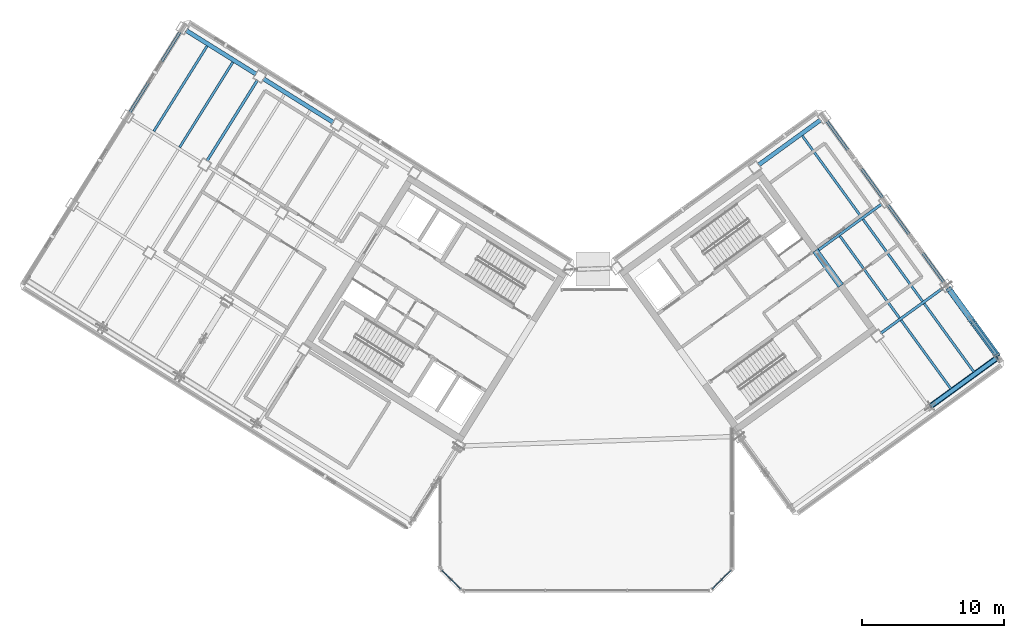
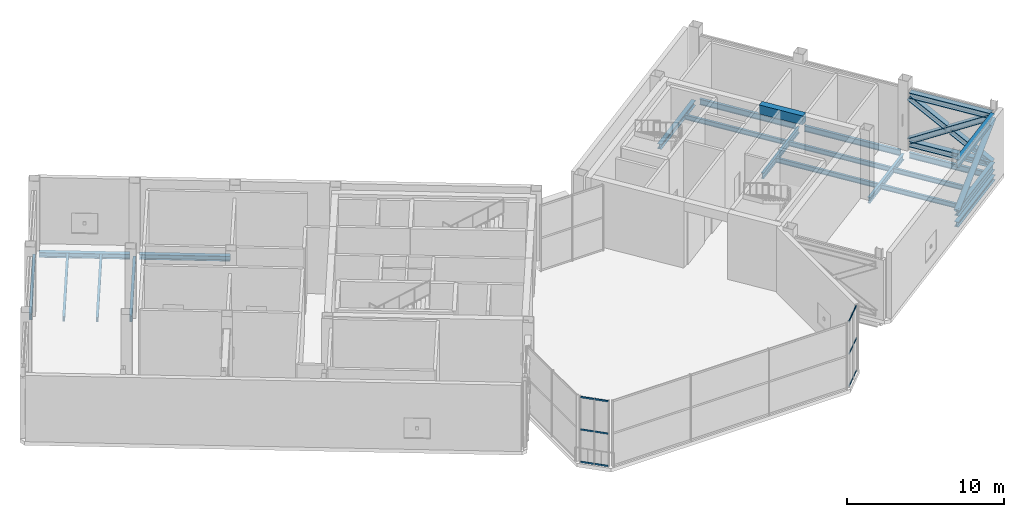
# One storey, part 13 of 32: 20 members, 19 beams, 2 elements without a shape of their own.
"""IFC4 building model written with IfcOpenShell, lengths in metres."""

from ifc_helpers import new_model, si_unit, direction, frame, origin, origin_2d, place, context, subcontext, project, spatial, rectangle, hollow_rectangle, hollow_circle, i_section, extrude, source, transform, mapped, material, material_profile, profile_set, type_object, element, aggregate, save


model = new_model("IFC4")

# Units and contexts
model_context = context("Model", 3, precision=1e-05, world=origin(), true_north=direction((0.0, 1.0)))
body_context = subcontext(model_context, "Body", "Model", "MODEL_VIEW")
ifc_project = project(units=[si_unit("LENGTHUNIT", "METRE"), si_unit("AREAUNIT", "SQUARE_METRE"), si_unit("VOLUMEUNIT", "CUBIC_METRE"), si_unit("PLANEANGLEUNIT", "RADIAN"), si_unit("MASSUNIT", "GRAM", prefix="KILO")], contexts=[model_context])

# Site, building, storey
site_placement = place(None, origin())
site = spatial("IfcSite", under=ifc_project, at=site_placement, CompositionType="ELEMENT")
building_placement = place(site_placement, origin())
building = spatial("IfcBuilding", under=site, at=building_placement, Name="Tlacorven Tower", CompositionType="ELEMENT")
storey_placement = place(building_placement, frame((0.0, 0.0, 245.699951171875)))
storey = spatial("IfcBuildingStorey", under=building, at=storey_placement, Name="L62", CompositionType="ELEMENT", Elevation=245.699951171875)

# Beam
ifc_material_1 = material(Name="Concrete C60/75", Category="concrete")
ifc_material_profile_1 = material_profile(ifc_material_1, rectangle(XDim=0.449951171875, YDim=0.699951171875, at=origin_2d()), Name="RC 450X700")
ifc_profile_set_1 = profile_set([ifc_material_profile_1], Name="Concrete C60/75")
beam_type_1 = type_object("IfcBeamType", Name="BM-LNT-700", PredefinedType="LINTEL", material=ifc_profile_set_1)
shared_shape_1 = source(origin(), body_context, "Body", "SweptSolid", [
    extrude(rectangle(XDim=0.449951171875, YDim=0.699951171875, at=origin_2d()), origin(), (0.0, 0.0, 1.0), 3.050048828125),
])
beam_1_placement = place(storey_placement, frame((59.856689453125, 23.345947265625, 4.800048828125), z_axis=(-0.587776590479, 0.80902328748, 0.0), x_axis=(-0.80902328748, -0.587776590479, 0.0)))
element("IfcBeam", 1, at=beam_1_placement, inside=storey, type_object=beam_type_1, Name="L62 E core coupling lintel beam E2", PredefinedType="LINTEL", context=body_context, shape_type="MappedRepresentation", body=[
    mapped(shared_shape_1, transform((0.0, 0.0, 0.0), scale=1.0)),
])

# Members
ifc_material_2 = material(Name="Steel S460M", Category="steel")
ifc_material_profile_2 = material_profile(ifc_material_2, i_section(OverallWidth=0.406005859375, OverallDepth=0.416015625, WebThickness=0.02099609375, FlangeThickness=0.032958984375, at=origin_2d()), Name="HD 400X382")
ifc_profile_set_2 = profile_set([ifc_material_profile_2], Name="Steel S460M")
member_type_1 = type_object("IfcMemberType", Name="MB-OUT-DIA", PredefinedType="BRACE", material=ifc_profile_set_2)
shared_shape_2 = source(origin(), body_context, "Body", "SweptSolid", [
    extrude(i_section(OverallWidth=0.406005859375, OverallDepth=0.416015625, WebThickness=0.02099609375, FlangeThickness=0.032958984375, at=origin_2d()), origin(), (0.0, 0.0, 1.0), 3.24560546875),
])
member_1_placement = place(storey_placement, frame((69.2001953125, 20.693603515625, 2.2255859375), z_axis=(0.501862263089, -0.690737584225, -0.520591834958), x_axis=(0.809010292828, 0.58779447607, 0.0)))
element("IfcMember", 2, at=member_1_placement, inside=storey, type_object=member_type_1, Name="L62 Outrigger Truss Split Diagonal E2-2B", PredefinedType="BRACE", context=body_context, shape_type="MappedRepresentation", body=[
    mapped(shared_shape_2, transform((0.0, 0.0, 0.0), scale=1.0)),
])
ifc_material_profile_3 = material_profile(ifc_material_2, i_section(OverallWidth=0.300048828125, OverallDepth=0.60009765625, WebThickness=0.015380859375, FlangeThickness=0.030029296875, at=origin_2d()), Name="HEB 600")
ifc_profile_set_3 = profile_set([ifc_material_profile_3], Name="Steel S460M")
member_type_2 = type_object("IfcMemberType", Name="MB-BLT-CHD", PredefinedType="CHORD", material=ifc_profile_set_3)
shared_shape_3 = source(origin(), body_context, "Body", "SweptSolid", [
    extrude(i_section(OverallWidth=0.300048828125, OverallDepth=0.60009765625, WebThickness=0.015380859375, FlangeThickness=0.030029296875, at=origin_2d()), origin(), (0.0, 0.0, 1.0), 5.669921875),
])
for number, where, z_axis, x_axis, name in (
    (3, (66.19140625, 14.907958984375, 0.449951171875), (0.809017149141, 0.587785039275, 0.0), (-0.587785039275, 0.809017149141, 0.0), "L62 Belt Truss Chord E1-B"),
    (4, (66.19140625, 14.907958984375, 4.22998046875), (0.809017149141, 0.587785039275, 0.0), (-0.587785039275, 0.809017149141, 0.0), "L62 Belt Truss Chord E1-T"),
):
    element("IfcMember", number, at=place(storey_placement, frame(where, z_axis=z_axis, x_axis=x_axis)), inside=storey, type_object=member_type_2, Name=name, PredefinedType="CHORD", context=body_context, shape_type="MappedRepresentation", body=[
        mapped(shared_shape_3, transform((0.0, 0.0, 0.0), scale=1.0)),
    ])
ifc_material_profile_4 = material_profile(ifc_material_2, hollow_circle(Radius=0.203125, WallThickness=0.02001953125, at=origin_2d()), Name="CHS 406.4X20")
ifc_profile_set_4 = profile_set([ifc_material_profile_4], Name="Steel S460M")
member_type_3 = type_object("IfcMemberType", Name="MB-BLT-DIA", PredefinedType="BRACE", material=ifc_profile_set_4)
shared_shape_4 = source(origin(), body_context, "Body", "SweptSolid", [
    extrude(hollow_circle(Radius=0.203125, WallThickness=0.02001953125, at=origin_2d()), origin(), (0.0, 0.0, 1.0), 6.721435546875),
])
member_2_placement = place(storey_placement, frame((66.1845703125, 14.90283203125, 0.548583984375), z_axis=(0.684499051971, 0.497328788516, 0.533033886319), x_axis=(-0.587793851887, 0.809010746334, 0.0)))
element("IfcMember", 5, at=member_2_placement, inside=storey, type_object=member_type_3, Name="L62 Belt Truss Diagonal E1-1", PredefinedType="BRACE", context=body_context, shape_type="MappedRepresentation", body=[
    mapped(shared_shape_4, transform((0.0, 0.0, 0.0), scale=1.0)),
])

# Beams
ifc_material_3 = material(Name="Steel S355J2", Category="steel")
ifc_material_profile_5 = material_profile(ifc_material_3, i_section(OverallWidth=0.300048828125, OverallDepth=0.389892578125, WebThickness=0.010986328125, FlangeThickness=0.01904296875, at=origin_2d()), Name="HEA 400")
ifc_profile_set_5 = profile_set([ifc_material_profile_5], Name="Steel S355J2")
beam_type_2 = type_object("IfcBeamType", Name="BM-SPN-400", PredefinedType="SPANDREL", material=ifc_profile_set_5)
shared_shape_5 = source(origin(), body_context, "Body", "SweptSolid", [
    extrude(i_section(OverallWidth=0.300048828125, OverallDepth=0.389892578125, WebThickness=0.010986328125, FlangeThickness=0.01904296875, at=origin_2d()), origin(), (0.0, 0.0, 1.0), 5.800048828125),
])
for number, where, z_axis, x_axis, name in (
    (6, (24.24609375, 34.8017578125, -0.474853515625), (-0.848052689693, 0.529911912967, 0.0), (-0.529911912967, -0.848052689693, 0.0), "L62 beam BM-L62-WL1-4"),
    (7, (18.818603515625, 38.193359375, -0.474853515625), (-0.848052689693, 0.529911912967, 0.0), (-0.529911912967, -0.848052689693, 0.0), "L62 beam BM-L62-WL1-5"),
    (8, (66.138671875, 14.86962890625, -0.474853515625), (0.809019944521, 0.587781191743, 0.0), (-0.587781191743, 0.809019944521, 0.0), "L62 beam BM-L62-EL1-3"),
):
    element("IfcBeam", number, at=place(storey_placement, frame(where, z_axis=z_axis, x_axis=x_axis)), inside=storey, type_object=beam_type_2, Name=name, PredefinedType="SPANDREL", context=body_context, shape_type="MappedRepresentation", body=[
        mapped(shared_shape_5, transform((0.0, 0.0, 0.0), scale=1.0)),
    ])
ifc_material_profile_6 = material_profile(ifc_material_3, i_section(OverallWidth=0.18994140625, OverallDepth=0.449951171875, WebThickness=0.009521484375, FlangeThickness=0.0146484375, at=origin_2d()), Name="IPE 450")
ifc_profile_set_6 = profile_set([ifc_material_profile_6], Name="Steel S355J2")
beam_type_3 = type_object("IfcBeamType", Name="BM-TWR-450", PredefinedType="BEAM", material=ifc_profile_set_6)
shared_shape_6 = source(origin(), body_context, "Body", "SweptSolid", [
    extrude(i_section(OverallWidth=0.18994140625, OverallDepth=0.449951171875, WebThickness=0.009521484375, FlangeThickness=0.0146484375, at=origin_2d()), origin(), (0.0, 0.0, 1.0), 5.800048828125),
])
beam_2_placement = place(storey_placement, frame((70.853271484375, 18.41845703125, -0.5048828125), z_axis=(-0.587781191743, 0.809019944521, 0.0), x_axis=(-0.809019944521, -0.587781191743, 0.0)))
element("IfcBeam", 9, at=beam_2_placement, inside=storey, type_object=beam_type_3, Name="L62 beam BM-L62-ET4-1", PredefinedType="BEAM", context=body_context, shape_type="MappedRepresentation", body=[
    mapped(shared_shape_6, transform((0.0, 0.0, 0.0), scale=1.0)),
])
shared_shape_7 = source(origin(), body_context, "Body", "SweptSolid", [
    extrude(i_section(OverallWidth=0.18994140625, OverallDepth=0.449951171875, WebThickness=0.009521484375, FlangeThickness=0.0146484375, at=origin_2d()), origin(), (0.0, 0.0, 1.0), 6.699951171875),
])
for number, where, z_axis, x_axis, name in (
    (10, (13.486328125, 41.17138671875, -0.5048828125), (-0.529903948186, -0.848057666493, 0.0), (0.848057666493, -0.529903948186, 0.0), "L62 beam BM-L62-WT6-1"),
    (11, (67.09130859375, 23.59619140625, -0.5048828125), (-0.587768623827, 0.809029075401, 0.0), (-0.809029075401, -0.587768623827, 0.0), "L62 beam BM-L62-ET4-2"),
    (12, (62.800537109375, 29.501953125, -0.5048828125), (-0.587792473715, 0.809011747655, 0.0), (-0.809011747655, -0.587792473715, 0.0), "L62 beam BM-L62-ET4-3"),
):
    element("IfcBeam", number, at=place(storey_placement, frame(where, z_axis=z_axis, x_axis=x_axis)), inside=storey, type_object=beam_type_3, Name=name, PredefinedType="BEAM", context=body_context, shape_type="MappedRepresentation", body=[
        mapped(shared_shape_7, transform((0.0, 0.0, 0.0), scale=1.0)),
    ])
shared_shape_8 = source(origin(), body_context, "Body", "SweptSolid", [
    extrude(i_section(OverallWidth=0.18994140625, OverallDepth=0.449951171875, WebThickness=0.009521484375, FlangeThickness=0.0146484375, at=origin_2d()), origin(), (0.0, 0.0, 1.0), 6.7001953125),
])
beam_3_placement = place(storey_placement, frame((18.9140625, 37.780029296875, -0.5048828125), z_axis=(-0.52991377951, -0.848051523367, 0.0), x_axis=(0.848051523367, -0.52991377951, 0.0)))
element("IfcBeam", 13, at=beam_3_placement, inside=storey, type_object=beam_type_3, Name="L62 beam BM-L62-WT5-1", PredefinedType="BEAM", context=body_context, shape_type="MappedRepresentation", body=[
    mapped(shared_shape_8, transform((0.0, 0.0, 0.0), scale=1.0)),
])
ifc_material_profile_7 = material_profile(ifc_material_3, i_section(OverallWidth=0.169921875, OverallDepth=0.360107421875, WebThickness=0.008056640625, FlangeThickness=0.0126953125, at=origin_2d()), Name="IPE 360")
ifc_profile_set_7 = profile_set([ifc_material_profile_7], Name="Steel S355J2")
beam_type_4 = type_object("IfcBeamType", Name="BM-JST-360", PredefinedType="JOIST", material=ifc_profile_set_7)
shared_shape_9 = source(origin(), body_context, "Body", "SweptSolid", [
    extrude(i_section(OverallWidth=0.169921875, OverallDepth=0.360107421875, WebThickness=0.008056640625, FlangeThickness=0.0126953125, at=origin_2d()), origin(), (0.0, 0.0, 1.0), 7.044921875),
])
for number, where, z_axis, x_axis, name in (
    (14, (17.181640625, 39.033447265625, -0.4599609375), (-0.529899256491, -0.848060598053, 0.0), (0.848060598053, -0.529899256491, 0.0), "L62 beam BM-L62-WJ5-1-1"),
    (15, (15.372314453125, 40.163818359375, -0.4599609375), (-0.52991483005, -0.848050866925, 0.0), (0.848050866925, -0.52991483005, 0.0), "L62 beam BM-L62-WJ5-1-2"),
    (16, (61.300048828125, 28.164794921875, -0.4599609375), (-0.587782183052, 0.8090192243, 0.0), (-0.8090192243, -0.587782183052, 0.0), "L62 beam BM-L62-EJ3-3-2"),
):
    element("IfcBeam", number, at=place(storey_placement, frame(where, z_axis=z_axis, x_axis=x_axis)), inside=storey, type_object=beam_type_4, Name=name, PredefinedType="JOIST", context=body_context, shape_type="MappedRepresentation", body=[
        mapped(shared_shape_9, transform((0.0, 0.0, 0.0), scale=1.0)),
    ])
shared_shape_10 = source(origin(), body_context, "Body", "SweptSolid", [
    extrude(i_section(OverallWidth=0.169921875, OverallDepth=0.360107421875, WebThickness=0.008056640625, FlangeThickness=0.0126953125, at=origin_2d()), origin(), (0.0, 0.0, 1.0), 5.945068359375),
])
for number, where, z_axis, x_axis, name in (
    (17, (67.584716796875, 16.11181640625, -0.4599609375), (-0.587788268014, 0.809014803317, 0.0), (-0.809014803317, -0.587788268014, 0.0), "L62 beam BM-L62-EJ3-1-1"),
    (18, (69.202880859375, 17.287353515625, -0.4599609375), (-0.587768740048, 0.809028990965, 0.0), (-0.809028990965, -0.587768740048, 0.0), "L62 beam BM-L62-EJ3-1-2"),
):
    element("IfcBeam", number, at=place(storey_placement, frame(where, z_axis=z_axis, x_axis=x_axis)), inside=storey, type_object=beam_type_4, Name=name, PredefinedType="JOIST", context=body_context, shape_type="MappedRepresentation", body=[
        mapped(shared_shape_10, transform((0.0, 0.0, 0.0), scale=1.0)),
    ])
shared_shape_11 = source(origin(), body_context, "Body", "SweptSolid", [
    extrude(i_section(OverallWidth=0.169921875, OverallDepth=0.360107421875, WebThickness=0.008056640625, FlangeThickness=0.0126953125, at=origin_2d()), origin(), (0.0, 0.0, 1.0), 7.10009765625),
])
for number, where, z_axis, x_axis, name in (
    (19, (63.972900390625, 21.083251953125, -0.4599609375), (-0.587783168305, 0.809018508476, 0.0), (-0.809018508476, -0.587783168305, 0.0), "L62 beam BM-L62-EJ3-2-1"),
    (20, (65.5908203125, 22.2587890625, -0.4599609375), (-0.587760662035, 0.809034859672, 0.0), (-0.809034859672, -0.587760662035, 0.0), "L62 beam BM-L62-EJ3-2-2"),
):
    element("IfcBeam", number, at=place(storey_placement, frame(where, z_axis=z_axis, x_axis=x_axis)), inside=storey, type_object=beam_type_4, Name=name, PredefinedType="JOIST", context=body_context, shape_type="MappedRepresentation", body=[
        mapped(shared_shape_11, transform((0.0, 0.0, 0.0), scale=1.0)),
    ])
shared_shape_12 = source(origin(), body_context, "Body", "SweptSolid", [
    extrude(i_section(OverallWidth=0.18994140625, OverallDepth=0.449951171875, WebThickness=0.009521484375, FlangeThickness=0.0146484375, at=origin_2d()), origin(), (0.0, 0.0, 1.0), 5.39990234375),
])
beam_4_placement = place(storey_placement, frame((62.65625, 20.003173828125, -0.5048828125), z_axis=(0.80901166244, 0.587792591002, 0.0), x_axis=(-0.587792591002, 0.80901166244, 0.0)))
element("IfcBeam", 21, at=beam_4_placement, inside=storey, type_object=beam_type_3, Name="L62 beam BM-L62-EL2-3", PredefinedType="BEAM", context=body_context, shape_type="MappedRepresentation", body=[
    mapped(shared_shape_12, transform((0.0, 0.0, 0.0), scale=1.0)),
])
shared_shape_13 = source(origin(), body_context, "Body", "SweptSolid", [
    extrude(i_section(OverallWidth=0.18994140625, OverallDepth=0.449951171875, WebThickness=0.009521484375, FlangeThickness=0.0146484375, at=origin_2d()), origin(), (0.0, 0.0, 1.0), 5.66015625),
])
beam_5_placement = place(storey_placement, frame((58.155029296875, 25.756103515625, -0.5048828125), z_axis=(0.809017643667, 0.587784358618, 0.0), x_axis=(-0.587784358618, 0.809017643667, 0.0)))
element("IfcBeam", 22, at=beam_5_placement, inside=storey, type_object=beam_type_3, Name="L62 beam BM-L62-EL3-3", PredefinedType="BEAM", context=body_context, shape_type="MappedRepresentation", body=[
    mapped(shared_shape_13, transform((0.0, 0.0, 0.0), scale=1.0)),
])
shared_shape_14 = source(origin(), body_context, "Body", "SweptSolid", [
    extrude(i_section(OverallWidth=0.300048828125, OverallDepth=0.389892578125, WebThickness=0.010986328125, FlangeThickness=0.01904296875, at=origin_2d()), origin(), (0.0, 0.0, 1.0), 5.39990234375),
])
beam_6_placement = place(storey_placement, frame((54.07470703125, 31.814697265625, -0.474853515625), z_axis=(0.80901166244, 0.587792591002, 0.0), x_axis=(-0.587792591002, 0.80901166244, 0.0)))
element("IfcBeam", 23, at=beam_6_placement, inside=storey, type_object=beam_type_2, Name="L62 beam BM-L62-EL4-3", PredefinedType="SPANDREL", context=body_context, shape_type="MappedRepresentation", body=[
    mapped(shared_shape_14, transform((0.0, 0.0, 0.0), scale=1.0)),
])

# Members
shared_shape_15 = source(origin(), body_context, "Body", "SweptSolid", [
    extrude(i_section(OverallWidth=0.406005859375, OverallDepth=0.416015625, WebThickness=0.02099609375, FlangeThickness=0.032958984375, at=origin_2d()), origin(), (0.0, 0.0, 1.0), 3.045654296875),
])
member_3_placement = place(storey_placement, frame((67.450927734375, 23.101318359375, 4.0400390625), z_axis=(0.501885023655, -0.690743211761, -0.52056242511), x_axis=(0.808999893545, 0.587808788846, 0.0)))
element("IfcMember", 24, at=member_3_placement, inside=storey, type_object=member_type_1, Name="L62 Outrigger Truss Split Diagonal E2-2A", PredefinedType="BRACE", context=body_context, shape_type="MappedRepresentation", body=[
    mapped(shared_shape_15, transform((0.0, 0.0, 0.0), scale=1.0)),
])
ifc_material_profile_8 = material_profile(ifc_material_2, i_section(OverallWidth=0.412109375, OverallDepth=0.43505859375, WebThickness=0.02490234375, FlangeThickness=0.0400390625, at=origin_2d()), Name="HD 400X463")
ifc_profile_set_8 = profile_set([ifc_material_profile_8], Name="Steel S460M")
member_type_4 = type_object("IfcMemberType", Name="MB-OUT-CHD", PredefinedType="CHORD", material=ifc_profile_set_8)
shared_shape_16 = source(origin(), body_context, "Body", "SweptSolid", [
    extrude(i_section(OverallWidth=0.412109375, OverallDepth=0.43505859375, WebThickness=0.02490234375, FlangeThickness=0.0400390625, at=origin_2d()), origin(), (0.0, 0.0, 1.0), 5.669921875),
])
for number, where, z_axis, x_axis, name in (
    (25, (67.482177734375, 23.058349609375, 0.449951171875), (0.587785039275, -0.809017149141, 0.0), (0.809017149141, 0.587785039275, 0.0), "L62 Outrigger Truss Chord E2-B"),
    (26, (67.482177734375, 23.058349609375, 4.22998046875), (0.587785039275, -0.809017149141, 0.0), (0.809017149141, 0.587785039275, 0.0), "L62 Outrigger Truss Chord E2-T"),
):
    element("IfcMember", number, at=place(storey_placement, frame(where, z_axis=z_axis, x_axis=x_axis)), inside=storey, type_object=member_type_4, Name=name, PredefinedType="CHORD", context=body_context, shape_type="MappedRepresentation", body=[
        mapped(shared_shape_16, transform((0.0, 0.0, 0.0), scale=1.0)),
    ])
shared_shape_17 = source(origin(), body_context, "Body", "SweptSolid", [
    extrude(i_section(OverallWidth=0.406005859375, OverallDepth=0.416015625, WebThickness=0.02099609375, FlangeThickness=0.032958984375, at=origin_2d()), origin(), (0.0, 0.0, 1.0), 6.731201171875),
])
member_4_placement = place(storey_placement, frame((67.450927734375, 23.101318359375, 0.64013671875), z_axis=(0.501869734474, -0.690764551063, 0.520548849402), x_axis=(0.809017043782, 0.58778518429, 0.0)))
element("IfcMember", 27, at=member_4_placement, inside=storey, type_object=member_type_1, Name="L62 Outrigger Truss Diagonal E2-1", PredefinedType="BRACE", context=body_context, shape_type="MappedRepresentation", body=[
    mapped(shared_shape_17, transform((0.0, 0.0, 0.0), scale=1.0)),
])

# Curtain wall, members
ifc_material_4 = material(Name="Dark solar low-E double glazing in aluminium frame", Category="aluminium")
curtain_wall_type = type_object("IfcCurtainWallType", Name="CW-TWR-HIGH", PredefinedType="USERDEFINED", material=ifc_material_4)
curtain_wall_1_placement = place(storey_placement, origin())
curtain_wall_1 = element("IfcCurtainWall", 28, at=curtain_wall_1_placement, inside=storey, type_object=curtain_wall_type, Name="L62 CW-TWR-HIGH Curtain Wall 284", ObjectType="UNITISED CURTAIN WALL", PredefinedType="USERDEFINED")
ifc_material_5 = material(Name="Aluminium 6063-T6 anodised", Category="aluminium")
ifc_material_profile_9 = material_profile(ifc_material_5, hollow_rectangle(XDim=0.054931640625, YDim=0.1201171875, WallThickness=0.00341796875, at=origin_2d()), Name="ALU TRANSOM 55X120")
ifc_profile_set_9 = profile_set([ifc_material_profile_9], Name="Aluminium 6063-T6 anodised")
member_type_5 = type_object("IfcMemberType", Name="CWT-03", PredefinedType="USERDEFINED", material=ifc_profile_set_9)
shared_shape_18 = source(origin(), body_context, "Body", "SweptSolid", [
    extrude(hollow_rectangle(XDim=0.054931640625, YDim=0.1201171875, WallThickness=0.00341796875, at=origin_2d()), origin(), (0.0, 0.0, 1.0), 0.899169921875),
])
member_5_placement = place(storey_placement, frame((52.13525390625, 3.361572265625, 0.06005859375), z_axis=(-0.707106781187, -0.707106781187, 0.0), x_axis=(0.707106781187, -0.707106781187, 0.0)))
member_5 = element("IfcMember", 29, at=member_5_placement, type_object=member_type_5, Name="CW-L62-284 Transom 1", ObjectType="TRANSOM", PredefinedType="USERDEFINED", context=body_context, shape_type="MappedRepresentation", body=[
    mapped(shared_shape_18, transform((0.0, 0.0, 0.0), scale=1.0)),
])
member_6_placement = place(storey_placement, frame((52.13525390625, 3.361572265625, 2.574951171875), z_axis=(-0.707106781187, -0.707106781187, 0.0), x_axis=(0.707106781187, -0.707106781187, 0.0)))
member_6 = element("IfcMember", 30, at=member_6_placement, type_object=member_type_5, Name="CW-L62-284 Transom 2", ObjectType="TRANSOM", PredefinedType="USERDEFINED", context=body_context, shape_type="MappedRepresentation", body=[
    mapped(shared_shape_18, transform((0.0, 0.0, 0.0), scale=1.0)),
])
member_7_placement = place(storey_placement, frame((52.13525390625, 3.361572265625, 5.090087890625), z_axis=(-0.707106781187, -0.707106781187, 0.0), x_axis=(0.707106781187, -0.707106781187, 0.0)))
member_7 = element("IfcMember", 31, at=member_7_placement, type_object=member_type_5, Name="CW-L62-284 Transom 3", ObjectType="TRANSOM", PredefinedType="USERDEFINED", context=body_context, shape_type="MappedRepresentation", body=[
    mapped(shared_shape_18, transform((0.0, 0.0, 0.0), scale=1.0)),
])
member_8_placement = place(storey_placement, frame((51.47412109375, 2.700439453125, 0.06005859375), z_axis=(-0.707106781187, -0.707106781187, 0.0), x_axis=(0.707106781187, -0.707106781187, 0.0)))
member_8 = element("IfcMember", 32, at=member_8_placement, type_object=member_type_5, Name="CW-L62-284 Transom 4", ObjectType="TRANSOM", PredefinedType="USERDEFINED", context=body_context, shape_type="MappedRepresentation", body=[
    mapped(shared_shape_18, transform((0.0, 0.0, 0.0), scale=1.0)),
])
member_9_placement = place(storey_placement, frame((51.47412109375, 2.700439453125, 2.574951171875), z_axis=(-0.707106781187, -0.707106781187, 0.0), x_axis=(0.707106781187, -0.707106781187, 0.0)))
member_9 = element("IfcMember", 33, at=member_9_placement, type_object=member_type_5, Name="CW-L62-284 Transom 5", ObjectType="TRANSOM", PredefinedType="USERDEFINED", context=body_context, shape_type="MappedRepresentation", body=[
    mapped(shared_shape_18, transform((0.0, 0.0, 0.0), scale=1.0)),
])
member_10_placement = place(storey_placement, frame((51.47412109375, 2.700439453125, 5.090087890625), z_axis=(-0.707106781187, -0.707106781187, 0.0), x_axis=(0.707106781187, -0.707106781187, 0.0)))
member_10 = element("IfcMember", 34, at=member_10_placement, type_object=member_type_5, Name="CW-L62-284 Transom 6", ObjectType="TRANSOM", PredefinedType="USERDEFINED", context=body_context, shape_type="MappedRepresentation", body=[
    mapped(shared_shape_18, transform((0.0, 0.0, 0.0), scale=1.0)),
])
aggregate(curtain_wall_1, [member_5, member_6, member_7, member_8, member_9, member_10])

curtain_wall_2_placement = place(storey_placement, origin())
curtain_wall_2 = element("IfcCurtainWall", 35, at=curtain_wall_2_placement, inside=storey, type_object=curtain_wall_type, Name="L62 CW-TWR-HIGH Curtain Wall 286", ObjectType="UNITISED CURTAIN WALL", PredefinedType="USERDEFINED")
member_11_placement = place(storey_placement, frame((33.16162109375, 2.064697265625, 0.06005859375), z_axis=(-0.707106781187, 0.707106781187, 0.0), x_axis=(-0.707106781187, -0.707106781187, 0.0)))
member_11 = element("IfcMember", 36, at=member_11_placement, type_object=member_type_5, Name="CW-L62-286 Transom 1", ObjectType="TRANSOM", PredefinedType="USERDEFINED", context=body_context, shape_type="MappedRepresentation", body=[
    mapped(shared_shape_18, transform((0.0, 0.0, 0.0), scale=1.0)),
])
member_12_placement = place(storey_placement, frame((33.16162109375, 2.064697265625, 2.574951171875), z_axis=(-0.707106781187, 0.707106781187, 0.0), x_axis=(-0.707106781187, -0.707106781187, 0.0)))
member_12 = element("IfcMember", 37, at=member_12_placement, type_object=member_type_5, Name="CW-L62-286 Transom 2", ObjectType="TRANSOM", PredefinedType="USERDEFINED", context=body_context, shape_type="MappedRepresentation", body=[
    mapped(shared_shape_18, transform((0.0, 0.0, 0.0), scale=1.0)),
])
member_13_placement = place(storey_placement, frame((33.16162109375, 2.064697265625, 5.090087890625), z_axis=(-0.707106781187, 0.707106781187, 0.0), x_axis=(-0.707106781187, -0.707106781187, 0.0)))
member_13 = element("IfcMember", 38, at=member_13_placement, type_object=member_type_5, Name="CW-L62-286 Transom 3", ObjectType="TRANSOM", PredefinedType="USERDEFINED", context=body_context, shape_type="MappedRepresentation", body=[
    mapped(shared_shape_18, transform((0.0, 0.0, 0.0), scale=1.0)),
])
member_14_placement = place(storey_placement, frame((32.50048828125, 2.725830078125, 0.06005859375), z_axis=(-0.707106781187, 0.707106781187, 0.0), x_axis=(-0.707106781187, -0.707106781187, 0.0)))
member_14 = element("IfcMember", 39, at=member_14_placement, type_object=member_type_5, Name="CW-L62-286 Transom 4", ObjectType="TRANSOM", PredefinedType="USERDEFINED", context=body_context, shape_type="MappedRepresentation", body=[
    mapped(shared_shape_18, transform((0.0, 0.0, 0.0), scale=1.0)),
])
member_15_placement = place(storey_placement, frame((32.50048828125, 2.725830078125, 2.574951171875), z_axis=(-0.707106781187, 0.707106781187, 0.0), x_axis=(-0.707106781187, -0.707106781187, 0.0)))
member_15 = element("IfcMember", 40, at=member_15_placement, type_object=member_type_5, Name="CW-L62-286 Transom 5", ObjectType="TRANSOM", PredefinedType="USERDEFINED", context=body_context, shape_type="MappedRepresentation", body=[
    mapped(shared_shape_18, transform((0.0, 0.0, 0.0), scale=1.0)),
])
member_16_placement = place(storey_placement, frame((32.50048828125, 2.725830078125, 5.090087890625), z_axis=(-0.707106781187, 0.707106781187, 0.0), x_axis=(-0.707106781187, -0.707106781187, 0.0)))
member_16 = element("IfcMember", 41, at=member_16_placement, type_object=member_type_5, Name="CW-L62-286 Transom 6", ObjectType="TRANSOM", PredefinedType="USERDEFINED", context=body_context, shape_type="MappedRepresentation", body=[
    mapped(shared_shape_18, transform((0.0, 0.0, 0.0), scale=1.0)),
])
aggregate(curtain_wall_2, [member_11, member_12, member_13, member_14, member_15, member_16])

save(model, "model.ifc")
